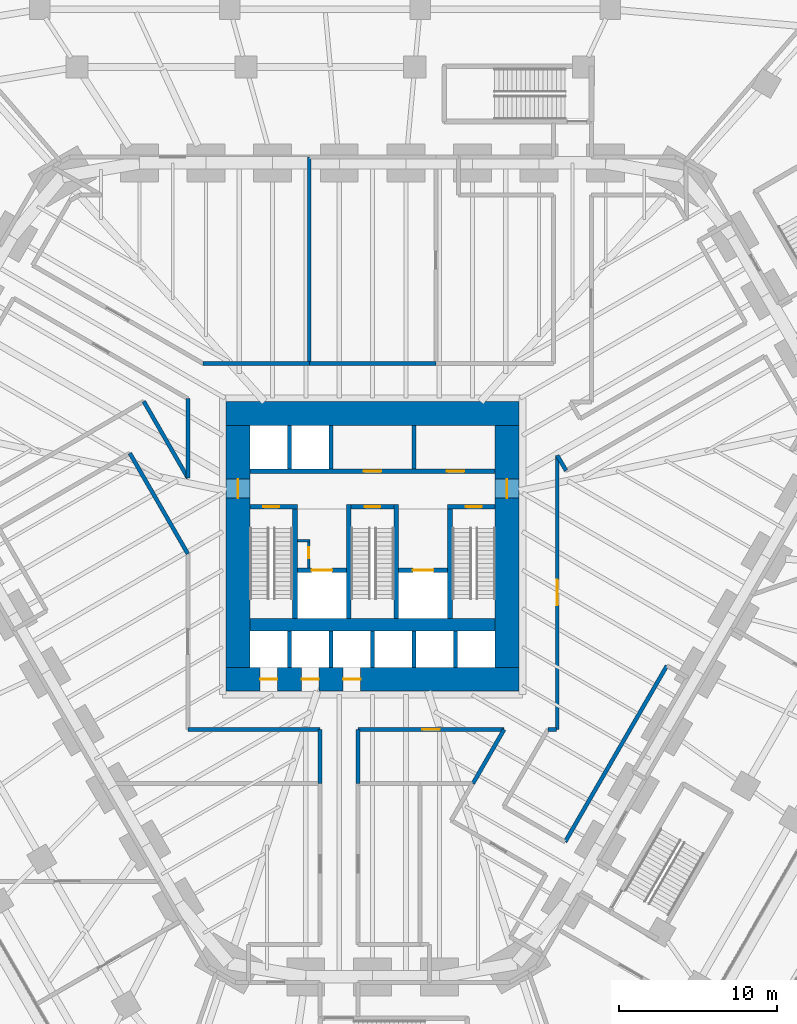
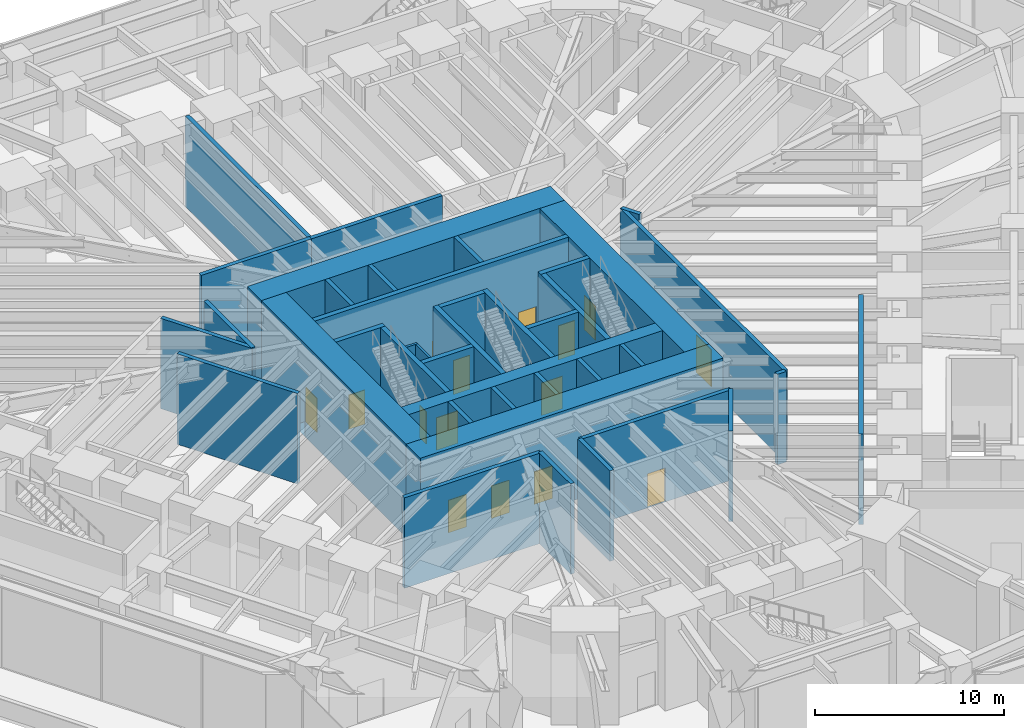
# One storey, part 17 of 25: 40 walls, 15 doors, 15 openings.
"""IFC4 building model written with IfcOpenShell, lengths in metres."""

from ifc_helpers import new_model, si_unit, direction, frame, frame_2d, origin, place, context, subcontext, project, spatial, rectangle, extrude, material, layer, layer_set, type_object, element, fill, save


model = new_model("IFC4")

# Units and contexts
model_context = context("Model", 3, precision=1e-05, world=origin(), true_north=direction((0.0, 1.0)))
body_context = subcontext(model_context, "Body", "Model", "MODEL_VIEW")
ifc_project = project(units=[si_unit("LENGTHUNIT", "METRE"), si_unit("AREAUNIT", "SQUARE_METRE"), si_unit("VOLUMEUNIT", "CUBIC_METRE"), si_unit("PLANEANGLEUNIT", "RADIAN"), si_unit("MASSUNIT", "GRAM", prefix="KILO")], contexts=[model_context])

# Site, building, storey
site_placement = place(None, origin())
site = spatial("IfcSite", under=ifc_project, at=site_placement, CompositionType="ELEMENT")
building_placement = place(site_placement, origin())
building = spatial("IfcBuilding", under=site, at=building_placement, Name="Sandreach Pilgrim Tower", CompositionType="ELEMENT")
storey_placement = place(building_placement, frame((0.0, 0.0, 6.0)))
storey = spatial("IfcBuildingStorey", under=building, at=storey_placement, Name="L01", CompositionType="ELEMENT", Elevation=6.0)

# Walls
ifc_material_1 = material(Name="Concrete 10000 psi", Category="concrete")
ifc_layer_1 = layer(ifc_material_1, 0.300048828125)
ifc_layer_set_1 = layer_set([ifc_layer_1], Name="Core inner wall 300")
wall_type_1 = type_object("IfcWallType", Name="Core inner wall 300", PredefinedType="SHEAR", material=ifc_layer_set_1)
for number, where, z_axis, x_axis, name in (
    (1, (-4.89990234375, -6.10009765625, 0.0), (0.0, 0.0, 1.0), (0.0, 1.0, 0.0), "Core wall I0 L01"),
    (2, (-1.5, -6.10009765625, 0.0), (0.0, 0.0, 1.0), (0.0, 1.0, 0.0), "Core wall I1 L01"),
    (3, (1.5, -6.10009765625, 0.0), (0.0, 0.0, 1.0), (0.0, 1.0, 0.0), "Core wall I2 L01"),
    (4, (4.89990234375, -6.10009765625, 0.0), (0.0, 0.0, 1.0), (0.0, 1.0, 0.0), "Core wall I3 L01"),
):
    element("IfcWall", number, at=place(storey_placement, frame(where, z_axis=z_axis, x_axis=x_axis)), inside=storey, type_object=wall_type_1, Name=name, PredefinedType="SHEAR", context=body_context, shape_type="SweptSolid", body=[
        extrude(rectangle(XDim=7.2001953125, YDim=0.300048828125, at=frame_2d((3.60009765625, 0.0))), origin(), (0.0, 0.0, 1.0), 6.0),
    ])

# Wall, opening, door
wall_1_placement = place(storey_placement, frame((-7.75, 0.949951171875, 0.0), z_axis=(0.0, 0.0, 1.0), x_axis=(1.0, 0.0, 0.0)))
wall_1 = element("IfcWall", 5, at=wall_1_placement, inside=storey, type_object=wall_type_1, Name="Core wall SN1 L01", PredefinedType="SHEAR", context=body_context, shape_type="SweptSolid", body=[
    extrude(rectangle(XDim=3.0, YDim=0.300048828125, at=frame_2d((1.5, 0.0))), origin(), (0.0, 0.0, 1.0), 6.0),
])
opening_1_placement = place(wall_1_placement, frame((0.85009765625, 0.0, 0.0)))
opening_1 = element("IfcOpeningElement", 6, at=opening_1_placement, cuts=wall_1, Name="Opening D10S-ST1", PredefinedType="OPENING", context=body_context, shape_type="SweptSolid", body=[
    extrude(rectangle(XDim=1.0, YDim=2.199951171875, at=frame_2d((0.5, 1.10009765625))), frame((0.0, 0.14990234375, 0.0), z_axis=(0.0, -1.0, 0.0), x_axis=(1.0, 0.0, 0.0)), (0.0, 0.0, 1.0), 0.300048828125),
])
ifc_material_2 = material(Name="Steel door and frame", Category="steel")
door_type_1 = type_object("IfcDoorType", Name="Stair door", OperationType="SINGLE_SWING_LEFT", PredefinedType="DOOR", material=ifc_material_2)
door_1_placement = place(opening_1_placement, origin())
door_1 = element("IfcDoor", 7, at=door_1_placement, inside=storey, type_object=door_type_1, Name="Stair door ST1 L01", OperationType="SINGLE_SWING_LEFT", OverallHeight=2.199951171875, OverallWidth=1.0, PredefinedType="DOOR", context=body_context, shape_type="SweptSolid", body=[
    extrude(rectangle(XDim=1.0, YDim=2.199951171875, at=frame_2d((0.5, 1.10009765625))), frame((0.0, 0.02490234375, 0.0), z_axis=(0.0, -1.0, 0.0), x_axis=(1.0, 0.0, 0.0)), (0.0, 0.0, 1.0), 0.050048828125),
])
fill(opening_1, door_1)

wall_2_placement = place(storey_placement, frame((-1.35009765625, 0.949951171875, 0.0), z_axis=(0.0, 0.0, 1.0), x_axis=(1.0, 0.0, 0.0)))
wall_2 = element("IfcWall", 8, at=wall_2_placement, inside=storey, type_object=wall_type_1, Name="Core wall SN3 L01", PredefinedType="SHEAR", context=body_context, shape_type="SweptSolid", body=[
    extrude(rectangle(XDim=2.7001953125, YDim=0.300048828125, at=frame_2d((1.35009765625, 0.0))), origin(), (0.0, 0.0, 1.0), 6.0),
])
opening_2_placement = place(wall_2_placement, frame((0.85009765625, 0.0, 0.0)))
opening_2 = element("IfcOpeningElement", 9, at=opening_2_placement, cuts=wall_2, Name="Opening D10S-ST3", PredefinedType="OPENING", context=body_context, shape_type="SweptSolid", body=[
    extrude(rectangle(XDim=1.0, YDim=2.199951171875, at=frame_2d((0.5, 1.10009765625))), frame((0.0, 0.14990234375, 0.0), z_axis=(0.0, -1.0, 0.0), x_axis=(1.0, 0.0, 0.0)), (0.0, 0.0, 1.0), 0.300048828125),
])
door_2_placement = place(opening_2_placement, origin())
door_2 = element("IfcDoor", 10, at=door_2_placement, inside=storey, type_object=door_type_1, Name="Stair door ST3 L01", OperationType="SINGLE_SWING_LEFT", OverallHeight=2.199951171875, OverallWidth=1.0, PredefinedType="DOOR", context=body_context, shape_type="SweptSolid", body=[
    extrude(rectangle(XDim=1.0, YDim=2.199951171875, at=frame_2d((0.5, 1.10009765625))), frame((0.0, 0.02490234375, 0.0), z_axis=(0.0, -1.0, 0.0), x_axis=(1.0, 0.0, 0.0)), (0.0, 0.0, 1.0), 0.050048828125),
])
fill(opening_2, door_2)

wall_3_placement = place(storey_placement, frame((4.75, 0.949951171875, 0.0), z_axis=(0.0, 0.0, 1.0), x_axis=(1.0, 0.0, 0.0)))
wall_3 = element("IfcWall", 11, at=wall_3_placement, inside=storey, type_object=wall_type_1, Name="Core wall SN2 L01", PredefinedType="SHEAR", context=body_context, shape_type="SweptSolid", body=[
    extrude(rectangle(XDim=3.0, YDim=0.300048828125, at=frame_2d((1.5, 0.0))), origin(), (0.0, 0.0, 1.0), 6.0),
])
opening_3_placement = place(wall_3_placement, frame((1.14990234375, 0.0, 0.0)))
opening_3 = element("IfcOpeningElement", 12, at=opening_3_placement, cuts=wall_3, Name="Opening D10S-ST2", PredefinedType="OPENING", context=body_context, shape_type="SweptSolid", body=[
    extrude(rectangle(XDim=1.0, YDim=2.199951171875, at=frame_2d((0.5, 1.10009765625))), frame((0.0, 0.14990234375, 0.0), z_axis=(0.0, -1.0, 0.0), x_axis=(1.0, 0.0, 0.0)), (0.0, 0.0, 1.0), 0.300048828125),
])
door_3_placement = place(opening_3_placement, origin())
door_3 = element("IfcDoor", 13, at=door_3_placement, inside=storey, type_object=door_type_1, Name="Stair door ST2 L01", OperationType="SINGLE_SWING_RIGHT", OverallHeight=2.199951171875, OverallWidth=1.0, PredefinedType="DOOR", context=body_context, shape_type="SweptSolid", body=[
    extrude(rectangle(XDim=1.0, YDim=2.199951171875, at=frame_2d((0.5, 1.10009765625))), frame((0.0, 0.02490234375, 0.0), z_axis=(0.0, -1.0, 0.0), x_axis=(1.0, 0.0, 0.0)), (0.0, 0.0, 1.0), 0.050048828125),
])
fill(opening_3, door_3)

wall_4_placement = place(storey_placement, frame((-4.75, -3.050048828125, 0.0), z_axis=(0.0, 0.0, 1.0), x_axis=(1.0, 0.0, 0.0)))
wall_4 = element("IfcWall", 14, at=wall_4_placement, inside=storey, type_object=wall_type_1, Name="Core wall FL1 L01", PredefinedType="SHEAR", context=body_context, shape_type="SweptSolid", body=[
    extrude(rectangle(XDim=3.10009765625, YDim=0.300048828125, at=frame_2d((1.550048828125, 0.0))), origin(), (0.0, 0.0, 1.0), 6.0),
])
opening_4_placement = place(wall_4_placement, frame((0.89990234375, 0.0, 0.0)))
opening_4 = element("IfcOpeningElement", 15, at=opening_4_placement, cuts=wall_4, Name="Opening LD13", PredefinedType="OPENING", context=body_context, shape_type="SweptSolid", body=[
    extrude(rectangle(XDim=1.300048828125, YDim=2.10009765625, at=frame_2d((0.64990234375, 1.050048828125))), frame((0.0, 0.14990234375, 0.0), z_axis=(0.0, -1.0, 0.0), x_axis=(1.0, 0.0, 0.0)), (0.0, 0.0, 1.0), 0.300048828125),
])
ifc_material_3 = material(Name="Steel door and frame", Category="steel")
door_type_2 = type_object("IfcDoorType", Name="Fire service lift landing door", OperationType="DOUBLE_DOOR_SLIDING", PredefinedType="DOOR", material=ifc_material_3)
door_4_placement = place(opening_4_placement, origin())
door_4 = element("IfcDoor", 16, at=door_4_placement, inside=storey, type_object=door_type_2, Name="Lift landing door FS1 L01", OperationType="DOUBLE_DOOR_SLIDING", OverallHeight=2.10009765625, OverallWidth=1.300048828125, PredefinedType="DOOR", context=body_context, shape_type="SweptSolid", body=[
    extrude(rectangle(XDim=1.300048828125, YDim=2.10009765625, at=frame_2d((0.64990234375, 1.050048828125))), frame((0.0, 0.02490234375, 0.0), z_axis=(0.0, -1.0, 0.0), x_axis=(1.0, 0.0, 0.0)), (0.0, 0.0, 1.0), 0.050048828125),
])
fill(opening_4, door_4)

wall_5_placement = place(storey_placement, frame((1.64990234375, -3.050048828125, 0.0), z_axis=(0.0, 0.0, 1.0), x_axis=(1.0, 0.0, 0.0)))
wall_5 = element("IfcWall", 17, at=wall_5_placement, inside=storey, type_object=wall_type_1, Name="Core wall FL2 L01", PredefinedType="SHEAR", context=body_context, shape_type="SweptSolid", body=[
    extrude(rectangle(XDim=3.10009765625, YDim=0.300048828125, at=frame_2d((1.550048828125, 0.0))), origin(), (0.0, 0.0, 1.0), 6.0),
])
opening_5_placement = place(wall_5_placement, frame((0.89990234375, 0.0, 0.0)))
opening_5 = element("IfcOpeningElement", 18, at=opening_5_placement, cuts=wall_5, Name="Opening LD13", PredefinedType="OPENING", context=body_context, shape_type="SweptSolid", body=[
    extrude(rectangle(XDim=1.300048828125, YDim=2.10009765625, at=frame_2d((0.64990234375, 1.050048828125))), frame((0.0, 0.14990234375, 0.0), z_axis=(0.0, -1.0, 0.0), x_axis=(1.0, 0.0, 0.0)), (0.0, 0.0, 1.0), 0.300048828125),
])
door_5_placement = place(opening_5_placement, origin())
door_5 = element("IfcDoor", 19, at=door_5_placement, inside=storey, type_object=door_type_2, Name="Lift landing door FS2 L01", OperationType="DOUBLE_DOOR_SLIDING", OverallHeight=2.10009765625, OverallWidth=1.300048828125, PredefinedType="DOOR", context=body_context, shape_type="SweptSolid", body=[
    extrude(rectangle(XDim=1.300048828125, YDim=2.10009765625, at=frame_2d((0.64990234375, 1.050048828125))), frame((0.0, 0.02490234375, 0.0), z_axis=(0.0, -1.0, 0.0), x_axis=(1.0, 0.0, 0.0)), (0.0, 0.0, 1.0), 0.050048828125),
])
fill(opening_5, door_5)

# Wall, openings, doors
wall_6_placement = place(storey_placement, frame((-7.75, 3.199951171875, 0.0), z_axis=(0.0, 0.0, 1.0), x_axis=(1.0, 0.0, 0.0)))
wall_6 = element("IfcWall", 20, at=wall_6_placement, inside=storey, type_object=wall_type_1, Name="Core wall PN L01", PredefinedType="SHEAR", context=body_context, shape_type="SweptSolid", body=[
    extrude(rectangle(XDim=15.5, YDim=0.300048828125, at=frame_2d((7.75, 0.0))), origin(), (0.0, 0.0, 1.0), 6.0),
])
opening_6_placement = place(wall_6_placement, frame((7.199951171875, 0.0, 0.0)))
opening_6 = element("IfcOpeningElement", 21, at=opening_6_placement, cuts=wall_6, Name="Opening D11L", PredefinedType="OPENING", context=body_context, shape_type="SweptSolid", body=[
    extrude(rectangle(XDim=1.10009765625, YDim=2.199951171875, at=frame_2d((0.550048828125, 1.10009765625))), frame((0.0, 0.14990234375, 0.0), z_axis=(0.0, -1.0, 0.0), x_axis=(1.0, 0.0, 0.0)), (0.0, 0.0, 1.0), 0.300048828125),
])
opening_7_placement = place(wall_6_placement, frame((12.449951171875, 0.0, 0.0)))
opening_7 = element("IfcOpeningElement", 22, at=opening_7_placement, cuts=wall_6, Name="Opening D11L", PredefinedType="OPENING", context=body_context, shape_type="SweptSolid", body=[
    extrude(rectangle(XDim=1.10009765625, YDim=2.199951171875, at=frame_2d((0.550048828125, 1.10009765625))), frame((0.0, 0.14990234375, 0.0), z_axis=(0.0, -1.0, 0.0), x_axis=(1.0, 0.0, 0.0)), (0.0, 0.0, 1.0), 0.300048828125),
])
ifc_material_4 = material(Name="Steel door and frame, smoke seals", Category="steel")
door_type_3 = type_object("IfcDoorType", Name="Core room door", OperationType="SINGLE_SWING_LEFT", PredefinedType="DOOR", material=ifc_material_4)
door_6_placement = place(opening_6_placement, origin())
door_6 = element("IfcDoor", 23, at=door_6_placement, inside=storey, type_object=door_type_3, Name="Door mail and parcel store 01K1", OperationType="SINGLE_SWING_LEFT", OverallHeight=2.199951171875, OverallWidth=1.10009765625, PredefinedType="DOOR", context=body_context, shape_type="SweptSolid", body=[
    extrude(rectangle(XDim=1.10009765625, YDim=2.199951171875, at=frame_2d((0.550048828125, 1.10009765625))), frame((0.0, 0.02490234375, 0.0), z_axis=(0.0, -1.0, 0.0), x_axis=(1.0, 0.0, 0.0)), (0.0, 0.0, 1.0), 0.050048828125),
])
fill(opening_6, door_6)
door_7_placement = place(opening_7_placement, origin())
door_7 = element("IfcDoor", 24, at=door_7_placement, inside=storey, type_object=door_type_3, Name="Door it room 01K2", OperationType="SINGLE_SWING_RIGHT", OverallHeight=2.199951171875, OverallWidth=1.10009765625, PredefinedType="DOOR", context=body_context, shape_type="SweptSolid", body=[
    extrude(rectangle(XDim=1.10009765625, YDim=2.199951171875, at=frame_2d((0.550048828125, 1.10009765625))), frame((0.0, 0.02490234375, 0.0), z_axis=(0.0, -1.0, 0.0), x_axis=(1.0, 0.0, 0.0)), (0.0, 0.0, 1.0), 0.050048828125),
])
fill(opening_7, door_7)

# Walls
ifc_material_5 = material(Name="Concrete 10000 psi", Category="concrete")
ifc_layer_2 = layer(ifc_material_5, 0.800048828125)
ifc_layer_set_2 = layer_set([ifc_layer_2], Name="Core mid wall 800")
wall_type_2 = type_object("IfcWallType", Name="Core mid wall 800", PredefinedType="SHEAR", material=ifc_layer_set_2)
wall_7_placement = place(storey_placement, frame((-7.75, -6.5, 0.0), z_axis=(0.0, 0.0, 1.0), x_axis=(1.0, 0.0, 0.0)))
element("IfcWall", 25, at=wall_7_placement, inside=storey, type_object=wall_type_2, Name="Core wall M L01", PredefinedType="SHEAR", context=body_context, shape_type="SweptSolid", body=[
    extrude(rectangle(XDim=15.5, YDim=0.800048828125, at=frame_2d((7.75, 0.0))), origin(), (0.0, 0.0, 1.0), 6.0),
])
ifc_material_6 = material(Name="Concrete 10000 psi", Category="concrete")
ifc_layer_3 = layer(ifc_material_6, 1.5)
ifc_layer_set_3 = layer_set([ifc_layer_3], Name="Core wall 1500")
wall_type_3 = type_object("IfcWallType", Name="Core wall 1500", PredefinedType="SHEAR", material=ifc_layer_set_3)
wall_8_placement = place(storey_placement, frame((-9.25, 6.85009765625, 0.0), z_axis=(0.0, 0.0, 1.0), x_axis=(1.0, 0.0, 0.0)))
element("IfcWall", 26, at=wall_8_placement, inside=storey, type_object=wall_type_3, Name="Core wall N L01", PredefinedType="SHEAR", context=body_context, shape_type="SweptSolid", body=[
    extrude(rectangle(XDim=18.5, YDim=1.5, at=frame_2d((9.25, 0.0))), origin(), (0.0, 0.0, 1.0), 6.0),
])

# Wall, openings, doors
wall_9_placement = place(storey_placement, frame((-9.25, -9.949951171875, 0.0), z_axis=(0.0, 0.0, 1.0), x_axis=(1.0, 0.0, 0.0)))
wall_9 = element("IfcWall", 27, at=wall_9_placement, inside=storey, type_object=wall_type_3, Name="Core wall S L01", PredefinedType="SHEAR", context=body_context, shape_type="SweptSolid", body=[
    extrude(rectangle(XDim=18.5, YDim=1.5, at=frame_2d((9.25, 0.0))), origin(), (0.0, 0.0, 1.0), 6.0),
])
opening_8_placement = place(wall_9_placement, frame((2.137451171875, 0.0, 0.0)))
opening_8 = element("IfcOpeningElement", 28, at=opening_8_placement, cuts=wall_9, Name="Opening LD11", PredefinedType="OPENING", context=body_context, shape_type="SweptSolid", body=[
    extrude(rectangle(XDim=1.10009765625, YDim=2.10009765625, at=frame_2d((0.550048828125, 1.050048828125))), frame((0.0, 0.75, 0.0), z_axis=(0.0, -1.0, 0.0), x_axis=(1.0, 0.0, 0.0)), (0.0, 0.0, 1.0), 1.5),
])
opening_9_placement = place(wall_9_placement, frame((4.762451171875, 0.0, 0.0)))
opening_9 = element("IfcOpeningElement", 29, at=opening_9_placement, cuts=wall_9, Name="Opening LD11", PredefinedType="OPENING", context=body_context, shape_type="SweptSolid", body=[
    extrude(rectangle(XDim=1.10009765625, YDim=2.10009765625, at=frame_2d((0.550048828125, 1.050048828125))), frame((0.0, 0.75, 0.0), z_axis=(0.0, -1.0, 0.0), x_axis=(1.0, 0.0, 0.0)), (0.0, 0.0, 1.0), 1.5),
])
opening_10_placement = place(wall_9_placement, frame((7.387451171875, 0.0, 0.0)))
opening_10 = element("IfcOpeningElement", 30, at=opening_10_placement, cuts=wall_9, Name="Opening LD11", PredefinedType="OPENING", context=body_context, shape_type="SweptSolid", body=[
    extrude(rectangle(XDim=1.10009765625, YDim=2.10009765625, at=frame_2d((0.550048828125, 1.050048828125))), frame((0.0, 0.75, 0.0), z_axis=(0.0, -1.0, 0.0), x_axis=(1.0, 0.0, 0.0)), (0.0, 0.0, 1.0), 1.5),
])
ifc_material_7 = material(Name="Steel door and frame", Category="steel")
door_type_4 = type_object("IfcDoorType", Name="Lift landing door", OperationType="DOUBLE_DOOR_SLIDING", PredefinedType="DOOR", material=ifc_material_7)
door_8_placement = place(opening_8_placement, origin())
door_8 = element("IfcDoor", 31, at=door_8_placement, inside=storey, type_object=door_type_4, Name="Lift landing door Z1A L01", OperationType="DOUBLE_DOOR_SLIDING", OverallHeight=2.10009765625, OverallWidth=1.10009765625, PredefinedType="DOOR", context=body_context, shape_type="SweptSolid", body=[
    extrude(rectangle(XDim=1.10009765625, YDim=2.10009765625, at=frame_2d((0.550048828125, 1.050048828125))), frame((0.0, 0.02490234375, 0.0), z_axis=(0.0, -1.0, 0.0), x_axis=(1.0, 0.0, 0.0)), (0.0, 0.0, 1.0), 0.050048828125),
])
fill(opening_8, door_8)
door_9_placement = place(opening_9_placement, origin())
door_9 = element("IfcDoor", 32, at=door_9_placement, inside=storey, type_object=door_type_4, Name="Lift landing door Z1B L01", OperationType="DOUBLE_DOOR_SLIDING", OverallHeight=2.10009765625, OverallWidth=1.10009765625, PredefinedType="DOOR", context=body_context, shape_type="SweptSolid", body=[
    extrude(rectangle(XDim=1.10009765625, YDim=2.10009765625, at=frame_2d((0.550048828125, 1.050048828125))), frame((0.0, 0.02490234375, 0.0), z_axis=(0.0, -1.0, 0.0), x_axis=(1.0, 0.0, 0.0)), (0.0, 0.0, 1.0), 0.050048828125),
])
fill(opening_9, door_9)
door_10_placement = place(opening_10_placement, origin())
door_10 = element("IfcDoor", 33, at=door_10_placement, inside=storey, type_object=door_type_4, Name="Lift landing door Z1C L01", OperationType="DOUBLE_DOOR_SLIDING", OverallHeight=2.10009765625, OverallWidth=1.10009765625, PredefinedType="DOOR", context=body_context, shape_type="SweptSolid", body=[
    extrude(rectangle(XDim=1.10009765625, YDim=2.10009765625, at=frame_2d((0.550048828125, 1.050048828125))), frame((0.0, 0.02490234375, 0.0), z_axis=(0.0, -1.0, 0.0), x_axis=(1.0, 0.0, 0.0)), (0.0, 0.0, 1.0), 0.050048828125),
])
fill(opening_10, door_10)

# Wall, opening, door
wall_10_placement = place(storey_placement, frame((-8.5, -9.199951171875, 0.0), z_axis=(0.0, 0.0, 1.0), x_axis=(0.0, 1.0, 0.0)))
wall_10 = element("IfcWall", 34, at=wall_10_placement, inside=storey, type_object=wall_type_3, Name="Core wall W L01", PredefinedType="SHEAR", context=body_context, shape_type="SweptSolid", body=[
    extrude(rectangle(XDim=15.300048828125, YDim=1.5, at=frame_2d((7.64990234375, 0.0))), origin(), (0.0, 0.0, 1.0), 6.0),
])
opening_11_placement = place(wall_10_placement, frame((10.699951171875, 0.0, 0.0)))
opening_11 = element("IfcOpeningElement", 35, at=opening_11_placement, cuts=wall_10, Name="Opening D12F-W", PredefinedType="OPENING", context=body_context, shape_type="SweptSolid", body=[
    extrude(rectangle(XDim=1.199951171875, YDim=2.199951171875, at=frame_2d((0.60009765625, 1.10009765625))), frame((0.0, 0.75, 0.0), z_axis=(0.0, -1.0, 0.0), x_axis=(1.0, 0.0, 0.0)), (0.0, 0.0, 1.0), 1.5),
])
ifc_material_8 = material(Name="Steel door and frame", Category="steel")
door_type_5 = type_object("IfcDoorType", Name="Fire lobby door", OperationType="SINGLE_SWING_LEFT", PredefinedType="DOOR", material=ifc_material_8)
door_11_placement = place(opening_11_placement, origin())
door_11 = element("IfcDoor", 36, at=door_11_placement, inside=storey, type_object=door_type_5, Name="Fire service lobby door W L01", OperationType="SINGLE_SWING_RIGHT", OverallHeight=2.199951171875, OverallWidth=1.199951171875, PredefinedType="DOOR", context=body_context, shape_type="SweptSolid", body=[
    extrude(rectangle(XDim=1.199951171875, YDim=2.199951171875, at=frame_2d((0.60009765625, 1.10009765625))), frame((0.0, 0.02490234375, 0.0), z_axis=(0.0, -1.0, 0.0), x_axis=(1.0, 0.0, 0.0)), (0.0, 0.0, 1.0), 0.050048828125),
])
fill(opening_11, door_11)

wall_11_placement = place(storey_placement, frame((8.5, -9.199951171875, 0.0), z_axis=(0.0, 0.0, 1.0), x_axis=(0.0, 1.0, 0.0)))
wall_11 = element("IfcWall", 37, at=wall_11_placement, inside=storey, type_object=wall_type_3, Name="Core wall E L01", PredefinedType="SHEAR", context=body_context, shape_type="SweptSolid", body=[
    extrude(rectangle(XDim=15.300048828125, YDim=1.5, at=frame_2d((7.64990234375, 0.0))), origin(), (0.0, 0.0, 1.0), 6.0),
])
opening_12_placement = place(wall_11_placement, frame((10.699951171875, 0.0, 0.0)))
opening_12 = element("IfcOpeningElement", 38, at=opening_12_placement, cuts=wall_11, Name="Opening D12F-E", PredefinedType="OPENING", context=body_context, shape_type="SweptSolid", body=[
    extrude(rectangle(XDim=1.199951171875, YDim=2.199951171875, at=frame_2d((0.60009765625, 1.10009765625))), frame((0.0, 0.75, 0.0), z_axis=(0.0, -1.0, 0.0), x_axis=(1.0, 0.0, 0.0)), (0.0, 0.0, 1.0), 1.5),
])
door_12_placement = place(opening_12_placement, origin())
door_12 = element("IfcDoor", 39, at=door_12_placement, inside=storey, type_object=door_type_5, Name="Fire service lobby door E L01", OperationType="SINGLE_SWING_RIGHT", OverallHeight=2.199951171875, OverallWidth=1.199951171875, PredefinedType="DOOR", context=body_context, shape_type="SweptSolid", body=[
    extrude(rectangle(XDim=1.199951171875, YDim=2.199951171875, at=frame_2d((0.60009765625, 1.10009765625))), frame((0.0, 0.02490234375, 0.0), z_axis=(0.0, -1.0, 0.0), x_axis=(1.0, 0.0, 0.0)), (0.0, 0.0, 1.0), 0.050048828125),
])
fill(opening_12, door_12)

# Walls
ifc_material_9 = material(Name="Acoustic gypsum board wall, double frame", Category="gypsum")
ifc_layer_4 = layer(ifc_material_9, 0.25)
ifc_layer_set_4 = layer_set([ifc_layer_4], Name="Hall partition 250")
wall_type_4 = type_object("IfcWallType", Name="Hall partition 250", PredefinedType="PARTITIONING", material=ifc_layer_set_4)
wall_12_placement = place(storey_placement, frame((-15.340087890625, 4.340087890625, 0.0), z_axis=(0.0, 0.0, 1.0), x_axis=(0.499811677007, -0.866134104817, 0.0)))
element("IfcWall", 40, at=wall_12_placement, inside=storey, type_object=wall_type_4, Name="Hall partition L01-035", PredefinedType="PARTITIONING", context=body_context, shape_type="SweptSolid", body=[
    extrude(rectangle(XDim=7.343017578125, YDim=0.25, at=frame_2d((3.67138671875, 0.0))), origin(), (0.0, 0.0, 1.0), 5.840087890625),
])
wall_13_placement = place(storey_placement, frame((-11.669921875, -13.1201171875, 0.0), z_axis=(0.0, 0.0, 1.0), x_axis=(1.0, 0.0, 0.0)))
element("IfcWall", 41, at=wall_13_placement, inside=storey, type_object=wall_type_4, Name="Hall partition L01-041", PredefinedType="PARTITIONING", context=body_context, shape_type="SweptSolid", body=[
    extrude(rectangle(XDim=8.35986328125, YDim=0.25, at=frame_2d((4.179931640625, 0.0))), origin(), (0.0, 0.0, 1.0), 5.840087890625),
])
wall_14_placement = place(storey_placement, frame((-11.669921875, 2.780029296875, 0.0), z_axis=(0.0, 0.0, 1.0), x_axis=(-0.49941093891, 0.866365231353, 0.0)))
element("IfcWall", 42, at=wall_14_placement, inside=storey, type_object=wall_type_4, Name="Hall partition L01-043", PredefinedType="PARTITIONING", context=body_context, shape_type="SweptSolid", body=[
    extrude(rectangle(XDim=5.586669921875, YDim=0.25, at=frame_2d((2.79345703125, 0.0))), origin(), (0.0, 0.0, 1.0), 5.840087890625),
])
wall_15_placement = place(storey_placement, frame((-11.669921875, 7.7900390625, 0.0), z_axis=(0.0, 0.0, 1.0), x_axis=(0.0, -1.0, 0.0)))
element("IfcWall", 43, at=wall_15_placement, inside=storey, type_object=wall_type_4, Name="Hall partition L01-044", PredefinedType="PARTITIONING", context=body_context, shape_type="SweptSolid", body=[
    extrude(rectangle(XDim=5.010009765625, YDim=0.25, at=frame_2d((2.5048828125, 0.0))), origin(), (0.0, 0.0, 1.0), 5.840087890625),
])
wall_16_placement = place(storey_placement, frame((-4.0, 10.02001953125, 0.0), z_axis=(0.0, 0.0, 1.0), x_axis=(-1.0, 0.0, 0.0)))
element("IfcWall", 44, at=wall_16_placement, inside=storey, type_object=wall_type_4, Name="Hall partition L01-053", PredefinedType="PARTITIONING", context=body_context, shape_type="SweptSolid", body=[
    extrude(rectangle(XDim=6.72998046875, YDim=0.25, at=frame_2d((3.364990234375, 0.0))), origin(), (0.0, 0.0, 1.0), 5.840087890625),
])
wall_17_placement = place(storey_placement, frame((-4.0, 10.0400390625, 0.0), z_axis=(0.0, 0.0, 1.0), x_axis=(0.0, 1.0, 0.0)))
element("IfcWall", 45, at=wall_17_placement, inside=storey, type_object=wall_type_4, Name="Hall partition L01-054", PredefinedType="PARTITIONING", context=body_context, shape_type="SweptSolid", body=[
    extrude(rectangle(XDim=13.010009765625, YDim=0.25, at=frame_2d((6.5048828125, 0.0))), origin(), (0.0, 0.0, 1.0), 5.840087890625),
])
for number, where, z_axis, x_axis, name in (
    (46, (-3.31005859375, -13.1201171875, 0.0), (0.0, 0.0, 1.0), (0.0, -1.0, 0.0), "Hall partition L01-059"),
    (47, (-0.909912109375, -16.52001953125, 0.0), (0.0, 0.0, 1.0), (0.0, 1.0, 0.0), "Hall partition L01-064"),
):
    element("IfcWall", number, at=place(storey_placement, frame(where, z_axis=z_axis, x_axis=x_axis)), inside=storey, type_object=wall_type_4, Name=name, PredefinedType="PARTITIONING", context=body_context, shape_type="SweptSolid", body=[
        extrude(rectangle(XDim=3.39990234375, YDim=0.25, at=frame_2d((1.699951171875, 0.0))), origin(), (0.0, 0.0, 1.0), 5.840087890625),
    ])

# Wall, opening, door
wall_18_placement = place(storey_placement, frame((-0.909912109375, -13.1201171875, 0.0), z_axis=(0.0, 0.0, 1.0), x_axis=(1.0, 0.0, 0.0)))
wall_18 = element("IfcWall", 48, at=wall_18_placement, inside=storey, type_object=wall_type_4, Name="Hall partition L01-065", PredefinedType="PARTITIONING", context=body_context, shape_type="SweptSolid", body=[
    extrude(rectangle(XDim=9.219970703125, YDim=0.25, at=frame_2d((4.60986328125, 0.0))), origin(), (0.0, 0.0, 1.0), 5.840087890625),
])
opening_13_placement = place(wall_18_placement, frame((4.06005859375, 0.0, 0.0)))
opening_13 = element("IfcOpeningElement", 49, at=opening_13_placement, cuts=wall_18, Name="Opening D11H-B5", PredefinedType="OPENING", context=body_context, shape_type="SweptSolid", body=[
    extrude(rectangle(XDim=1.10009765625, YDim=2.199951171875, at=frame_2d((0.550048828125, 1.10009765625))), frame((0.0, 0.125, 0.0), z_axis=(0.0, -1.0, 0.0), x_axis=(1.0, 0.0, 0.0)), (0.0, 0.0, 1.0), 0.25),
])
ifc_material_10 = material(Name="Steel door and frame", Category="steel")
door_type_6 = type_object("IfcDoorType", Name="Back of house door", OperationType="SINGLE_SWING_LEFT", PredefinedType="DOOR", material=ifc_material_10)
door_13_placement = place(opening_13_placement, origin())
door_13 = element("IfcDoor", 50, at=door_13_placement, inside=storey, type_object=door_type_6, Name="Door 01B5", OperationType="SINGLE_SWING_LEFT", OverallHeight=2.199951171875, OverallWidth=1.10009765625, PredefinedType="DOOR", context=body_context, shape_type="SweptSolid", body=[
    extrude(rectangle(XDim=1.10009765625, YDim=2.199951171875, at=frame_2d((0.550048828125, 1.10009765625))), frame((0.0, 0.02490234375, 0.0), z_axis=(0.0, -1.0, 0.0), x_axis=(1.0, 0.0, 0.0)), (0.0, 0.0, 1.0), 0.050048828125),
])
fill(opening_13, door_13)

# Walls
wall_19_placement = place(storey_placement, frame((4.0, 10.02001953125, 0.0), z_axis=(0.0, 0.0, 1.0), x_axis=(-1.0, 0.0, 0.0)))
element("IfcWall", 51, at=wall_19_placement, inside=storey, type_object=wall_type_4, Name="Hall partition L01-071", PredefinedType="PARTITIONING", context=body_context, shape_type="SweptSolid", body=[
    extrude(rectangle(XDim=8.0, YDim=0.25, at=frame_2d((4.0, 0.0))), origin(), (0.0, 0.0, 1.0), 5.840087890625),
])
wall_20_placement = place(storey_placement, frame((8.31005859375, -13.1201171875, 0.0), z_axis=(0.0, 0.0, 1.0), x_axis=(-0.499589939021, -0.866262023194, 0.0)))
element("IfcWall", 52, at=wall_20_placement, inside=storey, type_object=wall_type_4, Name="Hall partition L01-080", PredefinedType="PARTITIONING", context=body_context, shape_type="SweptSolid", body=[
    extrude(rectangle(XDim=3.934326171875, YDim=0.25, at=frame_2d((1.96728515625, 0.0))), origin(), (0.0, 0.0, 1.0), 5.840087890625),
])
wall_21_placement = place(storey_placement, frame((11.10009765625, -13.1201171875, 0.0), z_axis=(0.0, 0.0, 1.0), x_axis=(1.0, 0.0, 0.0)))
element("IfcWall", 53, at=wall_21_placement, inside=storey, type_object=wall_type_4, Name="Hall partition L01-089", PredefinedType="PARTITIONING", context=body_context, shape_type="SweptSolid", body=[
    extrude(rectangle(XDim=0.534912109375, YDim=0.25, at=frame_2d((0.267578125, 0.0))), origin(), (0.0, 0.0, 1.0), 5.840087890625),
])

# Wall, opening, door
wall_22_placement = place(storey_placement, frame((11.669921875, -13.1201171875, 0.0), z_axis=(0.0, 0.0, 1.0), x_axis=(0.0, 1.0, 0.0)))
wall_22 = element("IfcWall", 54, at=wall_22_placement, inside=storey, type_object=wall_type_4, Name="Hall partition L01-094", PredefinedType="PARTITIONING", context=body_context, shape_type="SweptSolid", body=[
    extrude(rectangle(XDim=17.320068359375, YDim=0.25, at=frame_2d((8.66015625, 0.0))), origin(), (0.0, 0.0, 1.0), 5.840087890625),
])
opening_14_placement = place(wall_22_placement, frame((7.860107421875, 0.0, 0.0)))
opening_14 = element("IfcOpeningElement", 55, at=opening_14_placement, cuts=wall_22, Name="Opening D16-B6", PredefinedType="OPENING", context=body_context, shape_type="SweptSolid", body=[
    extrude(rectangle(XDim=1.60009765625, YDim=2.39990234375, at=frame_2d((0.800048828125, 1.199951171875))), frame((0.0, 0.125, 0.0), z_axis=(0.0, -1.0, 0.0), x_axis=(1.0, 0.0, 0.0)), (0.0, 0.0, 1.0), 0.25),
])
ifc_material_11 = material(Name="Steel door and frame", Category="steel")
door_type_7 = type_object("IfcDoorType", Name="Hall double door", OperationType="DOUBLE_DOOR_SINGLE_SWING", PredefinedType="DOOR", material=ifc_material_11)
door_14_placement = place(opening_14_placement, origin())
door_14 = element("IfcDoor", 56, at=door_14_placement, inside=storey, type_object=door_type_7, Name="Door 01B6", OperationType="DOUBLE_DOOR_SINGLE_SWING", OverallHeight=2.39990234375, OverallWidth=1.60009765625, PredefinedType="DOOR", context=body_context, shape_type="SweptSolid", body=[
    extrude(rectangle(XDim=1.60009765625, YDim=2.39990234375, at=frame_2d((0.800048828125, 1.199951171875))), frame((0.0, 0.02490234375, 0.0), z_axis=(0.0, -1.0, 0.0), x_axis=(1.0, 0.0, 0.0)), (0.0, 0.0, 1.0), 0.050048828125),
])
fill(opening_14, door_14)

# Walls
wall_23_placement = place(storey_placement, frame((11.669921875, 4.199951171875, 0.0), z_axis=(0.0, 0.0, 1.0), x_axis=(0.50392565776, -0.863747029779, 0.0)))
element("IfcWall", 57, at=wall_23_placement, inside=storey, type_object=wall_type_4, Name="Hall partition L01-095", PredefinedType="PARTITIONING", context=body_context, shape_type="SweptSolid", body=[
    extrude(rectangle(XDim=1.111328125, YDim=0.25, at=frame_2d((0.5556640625, 0.0))), origin(), (0.0, 0.0, 1.0), 5.840087890625),
])
wall_24_placement = place(storey_placement, frame((18.60009765625, -9.090087890625, 0.0), z_axis=(0.0, 0.0, 1.0), x_axis=(-0.500252915159, -0.8658793339, 0.0)))
element("IfcWall", 58, at=wall_24_placement, inside=storey, type_object=wall_type_4, Name="Hall partition L01-111", PredefinedType="PARTITIONING", context=body_context, shape_type="SweptSolid", body=[
    extrude(rectangle(XDim=12.853759765625, YDim=0.25, at=frame_2d((6.4267578125, 0.0))), origin(), (0.0, 0.0, 1.0), 5.840087890625),
])

# Wall, opening, door
ifc_material_12 = material(Name="Gypsum shaft wall on steel studs, shaft liner board", Category="steel")
ifc_layer_5 = layer(ifc_material_12, 0.14990234375)
ifc_layer_set_5 = layer_set([ifc_layer_5], Name="Riser shaft wall 150")
wall_type_5 = type_object("IfcWallType", Name="Riser shaft wall 150", PredefinedType="PARTITIONING", material=ifc_layer_set_5)
wall_25_placement = place(storey_placement, frame((-4.02490234375, -2.89990234375, 0.0), z_axis=(0.0, 0.0, 1.0), x_axis=(0.0, 1.0, 0.0)))
wall_25 = element("IfcWall", 59, at=wall_25_placement, inside=storey, type_object=wall_type_5, Name="Riser partition L01 side", PredefinedType="PARTITIONING", context=body_context, shape_type="SweptSolid", body=[
    extrude(rectangle(XDim=1.77490234375, YDim=0.14990234375, at=frame_2d((0.887451171875, 0.0))), origin(), (0.0, 0.0, 1.0), 5.840087890625),
])
opening_15_placement = place(wall_25_placement, frame((0.60009765625, 0.0, 0.0)))
opening_15 = element("IfcOpeningElement", 60, at=opening_15_placement, cuts=wall_25, Name="Opening D07R", PredefinedType="OPENING", context=body_context, shape_type="SweptSolid", body=[
    extrude(rectangle(XDim=0.699951171875, YDim=2.10009765625, at=frame_2d((0.35009765625, 1.050048828125))), frame((0.0, 0.074951171875, 0.0), z_axis=(0.0, -1.0, 0.0), x_axis=(1.0, 0.0, 0.0)), (0.0, 0.0, 1.0), 0.14990234375),
])
ifc_material_13 = material(Name="Steel door and frame, smoke seals", Category="steel")
door_type_8 = type_object("IfcDoorType", Name="Riser access door", OperationType="SINGLE_SWING_RIGHT", PredefinedType="DOOR", material=ifc_material_13)
door_15_placement = place(opening_15_placement, origin())
door_15 = element("IfcDoor", 61, at=door_15_placement, inside=storey, type_object=door_type_8, Name="Door riser 01ER", OperationType="SINGLE_SWING_RIGHT", OverallHeight=2.10009765625, OverallWidth=0.699951171875, PredefinedType="DOOR", context=body_context, shape_type="SweptSolid", body=[
    extrude(rectangle(XDim=0.699951171875, YDim=2.10009765625, at=frame_2d((0.35009765625, 1.050048828125))), frame((0.0, 0.02490234375, 0.0), z_axis=(0.0, -1.0, 0.0), x_axis=(1.0, 0.0, 0.0)), (0.0, 0.0, 1.0), 0.050048828125),
])
fill(opening_15, door_15)

# Walls
wall_26_placement = place(storey_placement, frame((-4.75, -1.199951171875, 0.0), z_axis=(0.0, 0.0, 1.0), x_axis=(1.0, 0.0, 0.0)))
element("IfcWall", 62, at=wall_26_placement, inside=storey, type_object=wall_type_5, Name="Riser partition L01 front", PredefinedType="PARTITIONING", context=body_context, shape_type="SweptSolid", body=[
    extrude(rectangle(XDim=0.800048828125, YDim=0.14990234375, at=frame_2d((0.39990234375, 0.0))), origin(), (0.0, 0.0, 1.0), 5.840087890625),
])
ifc_material_14 = material(Name="Gypsum shaft wall on steel studs, two layers of shaft liner board", Category="steel")
ifc_layer_6 = layer(ifc_material_14, 0.25)
ifc_layer_set_6 = layer_set([ifc_layer_6], Name="Shaft partition 250")
wall_type_6 = type_object("IfcWallType", Name="Shaft partition 250", PredefinedType="PARTITIONING", material=ifc_layer_set_6)
for number, where, z_axis, x_axis, name in (
    (63, (-5.25, 3.35009765625, 0.0), (0.0, 0.0, 1.0), (0.0, 1.0, 0.0), "Shaft partition NS0 L01"),
    (64, (-2.625, 3.35009765625, 0.0), (0.0, 0.0, 1.0), (0.0, 1.0, 0.0), "Shaft partition NS1 L01"),
    (65, (2.625, 3.35009765625, 0.0), (0.0, 0.0, 1.0), (0.0, 1.0, 0.0), "Shaft partition NS3 L01"),
):
    element("IfcWall", number, at=place(storey_placement, frame(where, z_axis=z_axis, x_axis=x_axis)), inside=storey, type_object=wall_type_6, Name=name, PredefinedType="PARTITIONING", context=body_context, shape_type="SweptSolid", body=[
        extrude(rectangle(XDim=2.75, YDim=0.25, at=frame_2d((1.375, 0.0))), origin(), (0.0, 0.0, 1.0), 6.0),
    ])
for number, where, z_axis, x_axis, name in (
    (66, (-5.25, -9.199951171875, 0.0), (0.0, 0.0, 1.0), (0.0, 1.0, 0.0), "Shaft partition XS0 L01"),
    (67, (-2.625, -9.199951171875, 0.0), (0.0, 0.0, 1.0), (0.0, 1.0, 0.0), "Shaft partition XS1 L01"),
    (68, (0.0, -9.199951171875, 0.0), (0.0, 0.0, 1.0), (0.0, 1.0, 0.0), "Shaft partition XS2 L01"),
    (69, (2.625, -9.199951171875, 0.0), (0.0, 0.0, 1.0), (0.0, 1.0, 0.0), "Shaft partition XS3 L01"),
    (70, (5.25, -9.199951171875, 0.0), (0.0, 0.0, 1.0), (0.0, 1.0, 0.0), "Shaft partition XS4 L01"),
):
    element("IfcWall", number, at=place(storey_placement, frame(where, z_axis=z_axis, x_axis=x_axis)), inside=storey, type_object=wall_type_6, Name=name, PredefinedType="PARTITIONING", context=body_context, shape_type="SweptSolid", body=[
        extrude(rectangle(XDim=2.300048828125, YDim=0.25, at=frame_2d((1.14990234375, 0.0))), origin(), (0.0, 0.0, 1.0), 6.0),
    ])

save(model, "model.ifc")
